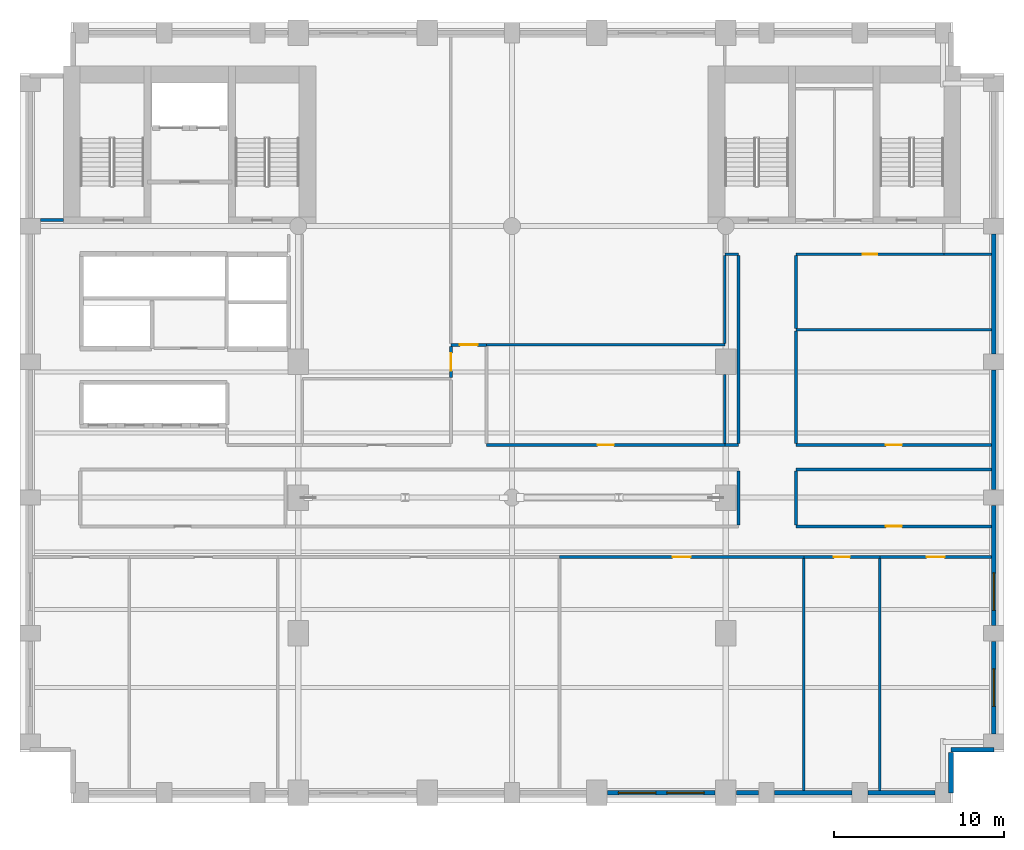
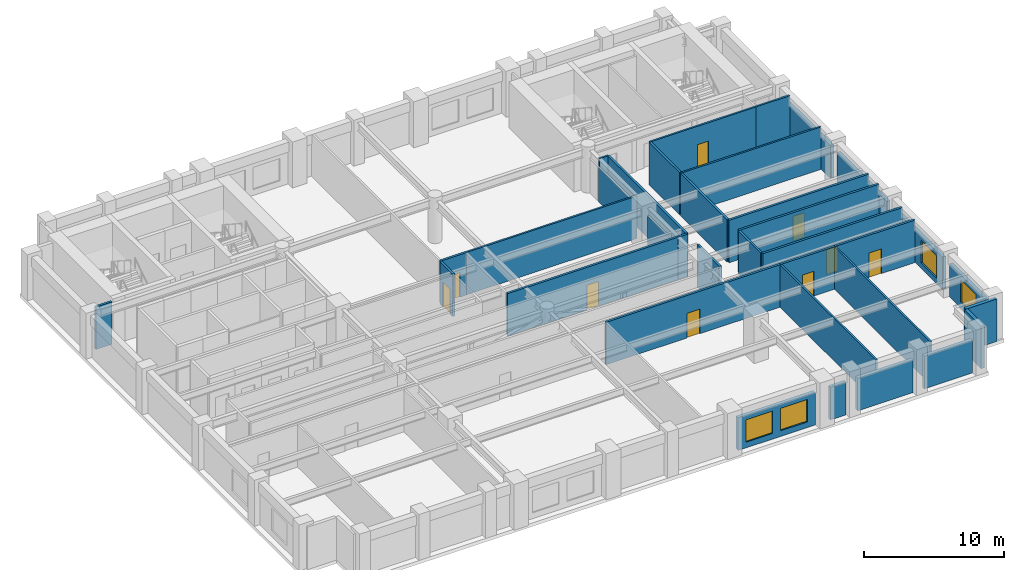
# One storey, part 6 of 10: 35 walls, 9 doors, 4 windows, 13 openings.
"""IFC4 building model written with IfcOpenShell, lengths in metres."""

from ifc_helpers import new_model, si_unit, direction, frame, frame_2d, origin, place, context, subcontext, project, spatial, rectangle, extrude, material, layer, layer_set, type_object, element, fill, save


model = new_model("IFC4")

# Units and contexts
model_context = context("Model", 3, precision=1e-05, world=origin(), true_north=direction((0.0, 1.0)))
body_context = subcontext(model_context, "Body", "Model", "MODEL_VIEW")
ifc_project = project(units=[si_unit("LENGTHUNIT", "METRE"), si_unit("AREAUNIT", "SQUARE_METRE"), si_unit("VOLUMEUNIT", "CUBIC_METRE"), si_unit("PLANEANGLEUNIT", "RADIAN"), si_unit("MASSUNIT", "GRAM", prefix="KILO")], contexts=[model_context])

# Site, building, storey
site_placement = place(None, origin())
site = spatial("IfcSite", under=ifc_project, at=site_placement, CompositionType="ELEMENT")
building_placement = place(site_placement, origin())
building = spatial("IfcBuilding", under=site, at=building_placement, Name="Sulina Concourse Tower", CompositionType="ELEMENT")
storey_placement = place(building_placement, frame((0.0, 0.0, 58.60009765625)))
storey = spatial("IfcBuildingStorey", under=building, at=storey_placement, Name="L14", CompositionType="ELEMENT", Elevation=58.60009765625)

# Walls
ifc_material_1 = material(Name="Gypsum board on steel stud", Category="steel")
ifc_layer_1 = layer(ifc_material_1, 0.14990234375)
ifc_layer_set_1 = layer_set([ifc_layer_1], Name="Gypsum board on steel stud")
wall_type_1 = type_object("IfcWallType", Name="Inter-Tenancy Acoustic Partition 150mm", PredefinedType="PARTITIONING", material=ifc_layer_set_1)
wall_1_placement = place(storey_placement, frame((27.5, 27.0, 0.0), z_axis=(0.0, 0.0, 1.0), x_axis=(1.0, 0.0, 0.0)))
element("IfcWall", 1, at=wall_1_placement, inside=storey, type_object=wall_type_1, Name="L14 interior partition 021", PredefinedType="PARTITIONING", context=body_context, shape_type="SweptSolid", body=[
    extrude(rectangle(XDim=14.050048828125, YDim=0.14990234375, at=frame_2d((7.02490234375, 0.0))), origin(), (0.0, 0.0, 1.0), 3.699951171875),
])
wall_2_placement = place(storey_placement, frame((45.75, 27.8798828125, 0.0), z_axis=(0.0, 0.0, 1.0), x_axis=(1.0, 0.0, 0.0)))
element("IfcWall", 2, at=wall_2_placement, inside=storey, type_object=wall_type_1, Name="L14 interior partition 022", PredefinedType="PARTITIONING", context=body_context, shape_type="SweptSolid", body=[
    extrude(rectangle(XDim=11.510009765625, YDim=0.14990234375, at=frame_2d((5.7548828125, 0.0))), origin(), (0.0, 0.0, 1.0), 3.699951171875),
])
wall_3_placement = place(storey_placement, frame((41.550048828125, 32.35009765625, 0.0), z_axis=(0.0, 0.0, 1.0), x_axis=(1.0, 0.0, 0.0)))
element("IfcWall", 3, at=wall_3_placement, inside=storey, type_object=wall_type_1, Name="L14 interior partition 023", PredefinedType="PARTITIONING", context=body_context, shape_type="SweptSolid", body=[
    extrude(rectangle(XDim=0.800048828125, YDim=0.14990234375, at=frame_2d((0.39990234375, 0.0))), origin(), (0.0, 0.0, 1.0), 3.699951171875),
])

# Wall, opening, door
wall_4_placement = place(storey_placement, frame((45.75, 32.35009765625, 0.0), z_axis=(0.0, 0.0, 1.0), x_axis=(1.0, 0.0, 0.0)))
wall_4 = element("IfcWall", 4, at=wall_4_placement, inside=storey, type_object=wall_type_1, Name="L14 interior partition 024", PredefinedType="PARTITIONING", context=body_context, shape_type="SweptSolid", body=[
    extrude(rectangle(XDim=8.699951171875, YDim=0.14990234375, at=frame_2d((4.35009765625, 0.0))), origin(), (0.0, 0.0, 1.0), 3.699951171875),
])
opening_1_placement = place(wall_4_placement, frame((3.909912109375, 0.0, 0.0)))
opening_1 = element("IfcOpeningElement", 5, at=opening_1_placement, cuts=wall_4, Name="Opening DR-38", PredefinedType="OPENING", context=body_context, shape_type="SweptSolid", body=[
    extrude(rectangle(XDim=0.8798828125, YDim=2.10009765625, at=frame_2d((0.43994140625, 1.050048828125))), frame((0.0, 0.0849609375, 0.0), z_axis=(0.0, -1.0, 0.0), x_axis=(1.0, 0.0, 0.0)), (0.0, 0.0, 1.0), 0.169921875),
])
ifc_material_2 = material(Name="Galvanised steel acoustic fire leaf", Category="steel")
ifc_layer_2 = layer(ifc_material_2, 0.050048828125)
ifc_layer_set_2 = layer_set([ifc_layer_2], Name="Galvanised steel acoustic fire leaf")
door_type_1 = type_object("IfcDoorType", Name="Service Riser Fire Door 880x2100", OperationType="NOTDEFINED", PredefinedType="DOOR", material=ifc_layer_set_2)
door_1_placement = place(opening_1_placement, origin())
door_1 = element("IfcDoor", 6, at=door_1_placement, inside=storey, type_object=door_type_1, Name="L14 interior door L14-NE2", OperationType="SINGLE_SWING_LEFT", OverallHeight=2.10009765625, OverallWidth=0.8798828125, PredefinedType="DOOR", context=body_context, shape_type="SweptSolid", body=[
    extrude(rectangle(XDim=0.8798828125, YDim=2.10009765625, at=frame_2d((0.43994140625, 1.050048828125))), frame((0.0, 0.02490234375, 0.0), z_axis=(0.0, -1.0, 0.0), x_axis=(1.0, 0.0, 0.0)), (0.0, 0.0, 1.0), 0.050048828125),
])
fill(opening_1, door_1)

# Walls
wall_5_placement = place(storey_placement, frame((54.449951171875, 32.35009765625, 0.0), z_axis=(0.0, 0.0, 1.0), x_axis=(1.0, 0.0, 0.0)))
element("IfcWall", 7, at=wall_5_placement, inside=storey, type_object=wall_type_1, Name="L14 interior partition 025", PredefinedType="PARTITIONING", context=body_context, shape_type="SweptSolid", body=[
    extrude(rectangle(XDim=2.81005859375, YDim=0.14990234375, at=frame_2d((1.405029296875, 0.0))), origin(), (0.0, 0.0, 1.0), 3.699951171875),
])
wall_6_placement = place(storey_placement, frame((41.550048828125, 21.18994140625, 0.0), z_axis=(0.0, 0.0, 1.0), x_axis=(0.0, 1.0, 0.0)))
element("IfcWall", 8, at=wall_6_placement, inside=storey, type_object=wall_type_1, Name="L14 interior partition 042", PredefinedType="PARTITIONING", context=body_context, shape_type="SweptSolid", body=[
    extrude(rectangle(XDim=4.06005859375, YDim=0.14990234375, at=frame_2d((2.030029296875, 0.0))), origin(), (0.0, 0.0, 1.0), 2.994873046875),
])
wall_7_placement = place(storey_placement, frame((41.550048828125, 27.074951171875, 0.0), z_axis=(0.0, 0.0, 1.0), x_axis=(0.0, 1.0, 0.0)))
element("IfcWall", 9, at=wall_7_placement, inside=storey, type_object=wall_type_1, Name="L14 interior partition 043", PredefinedType="PARTITIONING", context=body_context, shape_type="SweptSolid", body=[
    extrude(rectangle(XDim=5.199951171875, YDim=0.14990234375, at=frame_2d((2.60009765625, 0.0))), origin(), (0.0, 0.0, 1.0), 2.994873046875),
])
for number, where, z_axis, x_axis, name in (
    (10, (46.199951171875, 0.739990234375, 0.0), (0.0, 0.0, 1.0), (0.0, 1.0, 0.0), "L14 interior partition 051"),
    (11, (50.679931640625, 0.739990234375, 0.0), (0.0, 0.0, 1.0), (0.0, 1.0, 0.0), "L14 interior partition 053"),
):
    element("IfcWall", number, at=place(storey_placement, frame(where, z_axis=z_axis, x_axis=x_axis)), inside=storey, type_object=wall_type_1, Name=name, PredefinedType="PARTITIONING", context=body_context, shape_type="SweptSolid", body=[
        extrude(rectangle(XDim=13.669921875, YDim=0.14990234375, at=frame_2d((6.8349609375, 0.0))), origin(), (0.0, 0.0, 1.0), 3.699951171875),
    ])

# Wall, opening, door
ifc_material_3 = material(Name="Gypsum board on steel stud", Category="steel")
ifc_layer_3 = layer(ifc_material_3, 0.179931640625)
ifc_layer_set_3 = layer_set([ifc_layer_3], Name="Gypsum board on steel stud")
wall_type_2 = type_object("IfcWallType", Name="Protected Corridor & Riser Partition 180mm", PredefinedType="PARTITIONING", material=ifc_layer_set_3)
wall_8_placement = place(storey_placement, frame((31.800048828125, 14.5, 0.0), z_axis=(0.0, 0.0, 1.0), x_axis=(1.0, 0.0, 0.0)))
wall_8 = element("IfcWall", 12, at=wall_8_placement, inside=storey, type_object=wall_type_2, Name="L14 interior partition 004", PredefinedType="PARTITIONING", context=body_context, shape_type="SweptSolid", body=[
    extrude(rectangle(XDim=14.39990234375, YDim=0.179931640625, at=frame_2d((7.199951171875, 0.0))), origin(), (0.0, 0.0, 1.0), 3.699951171875),
])
opening_2_placement = place(wall_8_placement, frame((6.675048828125, 0.0, 0.0)))
opening_2 = element("IfcOpeningElement", 13, at=opening_2_placement, cuts=wall_8, Name="Opening DR-37", PredefinedType="OPENING", context=body_context, shape_type="SweptSolid", body=[
    extrude(rectangle(XDim=1.050048828125, YDim=2.14990234375, at=frame_2d((0.52490234375, 1.074951171875))), frame((0.0, 0.099853515625, 0.0), z_axis=(0.0, -1.0, 0.0), x_axis=(1.0, 0.0, 0.0)), (0.0, 0.0, 1.0), 0.199951171875),
])
ifc_material_4 = material(Name="Oak-veneered fire door leaf")
ifc_layer_4 = layer(ifc_material_4, 0.050048828125)
ifc_layer_set_4 = layer_set([ifc_layer_4], Name="Oak-veneered fire door leaf")
door_type_2 = type_object("IfcDoorType", Name="Tenant Suite Entrance Fire Door 1050x2150", OperationType="NOTDEFINED", PredefinedType="DOOR", material=ifc_layer_set_4)
door_2_placement = place(opening_2_placement, origin())
door_2 = element("IfcDoor", 14, at=door_2_placement, inside=storey, type_object=door_type_2, Name="L14 interior door L14-S03", OperationType="SINGLE_SWING_LEFT", OverallHeight=2.14990234375, OverallWidth=1.050048828125, PredefinedType="DOOR", context=body_context, shape_type="SweptSolid", body=[
    extrude(rectangle(XDim=1.050048828125, YDim=2.14990234375, at=frame_2d((0.52490234375, 1.074951171875))), frame((0.0, 0.02490234375, 0.0), z_axis=(0.0, -1.0, 0.0), x_axis=(1.0, 0.0, 0.0)), (0.0, 0.0, 1.0), 0.050048828125),
])
fill(opening_2, door_2)

wall_9_placement = place(storey_placement, frame((46.199951171875, 14.5, 0.0), z_axis=(0.0, 0.0, 1.0), x_axis=(1.0, 0.0, 0.0)))
wall_9 = element("IfcWall", 15, at=wall_9_placement, inside=storey, type_object=wall_type_2, Name="L14 interior partition 005", PredefinedType="PARTITIONING", context=body_context, shape_type="SweptSolid", body=[
    extrude(rectangle(XDim=4.47998046875, YDim=0.179931640625, at=frame_2d((2.239990234375, 0.0))), origin(), (0.0, 0.0, 1.0), 3.699951171875),
])
opening_3_placement = place(wall_9_placement, frame((1.764892578125, 0.0, 0.0)))
opening_3 = element("IfcOpeningElement", 16, at=opening_3_placement, cuts=wall_9, Name="Opening DR-19", PredefinedType="OPENING", context=body_context, shape_type="SweptSolid", body=[
    extrude(rectangle(XDim=0.949951171875, YDim=2.14990234375, at=frame_2d((0.47509765625, 1.074951171875))), frame((0.0, 0.099853515625, 0.0), z_axis=(0.0, -1.0, 0.0), x_axis=(1.0, 0.0, 0.0)), (0.0, 0.0, 1.0), 0.199951171875),
])
ifc_material_5 = material(Name="Oak-veneered acoustic timber leaf", Category="wood")
ifc_layer_5 = layer(ifc_material_5, 0.050048828125)
ifc_layer_set_5 = layer_set([ifc_layer_5], Name="Oak-veneered acoustic timber leaf")
door_type_3 = type_object("IfcDoorType", Name="Cellular Office & Meeting Door 950x2150", OperationType="NOTDEFINED", PredefinedType="DOOR", material=ifc_layer_set_5)
door_3_placement = place(opening_3_placement, origin())
door_3 = element("IfcDoor", 17, at=door_3_placement, inside=storey, type_object=door_type_3, Name="L14 interior door L14-S04A", OperationType="SINGLE_SWING_RIGHT", OverallHeight=2.14990234375, OverallWidth=0.949951171875, PredefinedType="DOOR", context=body_context, shape_type="SweptSolid", body=[
    extrude(rectangle(XDim=0.949951171875, YDim=2.14990234375, at=frame_2d((0.47509765625, 1.074951171875))), frame((0.0, 0.02490234375, 0.0), z_axis=(0.0, -1.0, 0.0), x_axis=(1.0, 0.0, 0.0)), (0.0, 0.0, 1.0), 0.050048828125),
])
fill(opening_3, door_3)

wall_10_placement = place(storey_placement, frame((50.679931640625, 14.5, 0.0), z_axis=(0.0, 0.0, 1.0), x_axis=(1.0, 0.0, 0.0)))
wall_10 = element("IfcWall", 18, at=wall_10_placement, inside=storey, type_object=wall_type_2, Name="L14 interior partition 006", PredefinedType="PARTITIONING", context=body_context, shape_type="SweptSolid", body=[
    extrude(rectangle(XDim=6.580078125, YDim=0.179931640625, at=frame_2d((3.2900390625, 0.0))), origin(), (0.0, 0.0, 1.0), 3.699951171875),
])
opening_4_placement = place(wall_10_placement, frame((2.764892578125, 0.0, 0.0)))
opening_4 = element("IfcOpeningElement", 19, at=opening_4_placement, cuts=wall_10, Name="Opening DR-37", PredefinedType="OPENING", context=body_context, shape_type="SweptSolid", body=[
    extrude(rectangle(XDim=1.050048828125, YDim=2.14990234375, at=frame_2d((0.52490234375, 1.074951171875))), frame((0.0, 0.099853515625, 0.0), z_axis=(0.0, -1.0, 0.0), x_axis=(1.0, 0.0, 0.0)), (0.0, 0.0, 1.0), 0.199951171875),
])
door_4_placement = place(opening_4_placement, origin())
door_4 = element("IfcDoor", 20, at=door_4_placement, inside=storey, type_object=door_type_2, Name="L14 interior door L14-S04B", OperationType="SINGLE_SWING_LEFT", OverallHeight=2.14990234375, OverallWidth=1.050048828125, PredefinedType="DOOR", context=body_context, shape_type="SweptSolid", body=[
    extrude(rectangle(XDim=1.050048828125, YDim=2.14990234375, at=frame_2d((0.52490234375, 1.074951171875))), frame((0.0, 0.02490234375, 0.0), z_axis=(0.0, -1.0, 0.0), x_axis=(1.0, 0.0, 0.0)), (0.0, 0.0, 1.0), 0.050048828125),
])
fill(opening_4, door_4)

wall_11_placement = place(storey_placement, frame((45.75, 16.300048828125, 0.0), z_axis=(0.0, 0.0, 1.0), x_axis=(1.0, 0.0, 0.0)))
wall_11 = element("IfcWall", 21, at=wall_11_placement, inside=storey, type_object=wall_type_2, Name="L14 interior partition 009", PredefinedType="PARTITIONING", context=body_context, shape_type="SweptSolid", body=[
    extrude(rectangle(XDim=11.510009765625, YDim=0.179931640625, at=frame_2d((5.7548828125, 0.0))), origin(), (0.0, 0.0, 1.0), 3.699951171875),
])
opening_5_placement = place(wall_11_placement, frame((5.280029296875, 0.0, 0.0)))
opening_5 = element("IfcOpeningElement", 22, at=opening_5_placement, cuts=wall_11, Name="Opening DR-19", PredefinedType="OPENING", context=body_context, shape_type="SweptSolid", body=[
    extrude(rectangle(XDim=0.949951171875, YDim=2.14990234375, at=frame_2d((0.47509765625, 1.074951171875))), frame((0.0, 0.099853515625, 0.0), z_axis=(0.0, -1.0, 0.0), x_axis=(1.0, 0.0, 0.0)), (0.0, 0.0, 1.0), 0.199951171875),
])
door_5_placement = place(opening_5_placement, origin())
door_5 = element("IfcDoor", 23, at=door_5_placement, inside=storey, type_object=door_type_3, Name="L14 interior door L14-OFF-LBTE", OperationType="SINGLE_SWING_LEFT", OverallHeight=2.14990234375, OverallWidth=0.949951171875, PredefinedType="DOOR", context=body_context, shape_type="SweptSolid", body=[
    extrude(rectangle(XDim=0.949951171875, YDim=2.14990234375, at=frame_2d((0.47509765625, 1.074951171875))), frame((0.0, 0.02490234375, 0.0), z_axis=(0.0, -1.0, 0.0), x_axis=(1.0, 0.0, 0.0)), (0.0, 0.0, 1.0), 0.050048828125),
])
fill(opening_5, door_5)

# Wall
wall_12_placement = place(storey_placement, frame((45.75, 19.64990234375, 0.0), z_axis=(0.0, 0.0, 1.0), x_axis=(1.0, 0.0, 0.0)))
element("IfcWall", 24, at=wall_12_placement, inside=storey, type_object=wall_type_2, Name="L14 interior partition 012", PredefinedType="PARTITIONING", context=body_context, shape_type="SweptSolid", body=[
    extrude(rectangle(XDim=11.510009765625, YDim=0.179931640625, at=frame_2d((5.7548828125, 0.0))), origin(), (0.0, 0.0, 1.0), 3.699951171875),
])

# Wall, opening, door
wall_13_placement = place(storey_placement, frame((27.5, 21.10009765625, 0.0), z_axis=(0.0, 0.0, 1.0), x_axis=(1.0, 0.0, 0.0)))
wall_13 = element("IfcWall", 25, at=wall_13_placement, inside=storey, type_object=wall_type_2, Name="L14 interior partition 015", PredefinedType="PARTITIONING", context=body_context, shape_type="SweptSolid", body=[
    extrude(rectangle(XDim=14.050048828125, YDim=0.179931640625, at=frame_2d((7.02490234375, 0.0))), origin(), (0.0, 0.0, 1.0), 3.699951171875),
])
opening_6_placement = place(wall_13_placement, frame((6.550048828125, 0.0, 0.0)))
opening_6 = element("IfcOpeningElement", 26, at=opening_6_placement, cuts=wall_13, Name="Opening DR-19", PredefinedType="OPENING", context=body_context, shape_type="SweptSolid", body=[
    extrude(rectangle(XDim=0.949951171875, YDim=2.14990234375, at=frame_2d((0.47509765625, 1.074951171875))), frame((0.0, 0.099853515625, 0.0), z_axis=(0.0, -1.0, 0.0), x_axis=(1.0, 0.0, 0.0)), (0.0, 0.0, 1.0), 0.199951171875),
])
door_6_placement = place(opening_6_placement, origin())
door_6 = element("IfcDoor", 27, at=door_6_placement, inside=storey, type_object=door_type_3, Name="L14 interior door L14-NC3", OperationType="SINGLE_SWING_LEFT", OverallHeight=2.14990234375, OverallWidth=0.949951171875, PredefinedType="DOOR", context=body_context, shape_type="SweptSolid", body=[
    extrude(rectangle(XDim=0.949951171875, YDim=2.14990234375, at=frame_2d((0.47509765625, 1.074951171875))), frame((0.0, 0.02490234375, 0.0), z_axis=(0.0, -1.0, 0.0), x_axis=(1.0, 0.0, 0.0)), (0.0, 0.0, 1.0), 0.050048828125),
])
fill(opening_6, door_6)

# Wall
wall_14_placement = place(storey_placement, frame((41.550048828125, 21.10009765625, 0.0), z_axis=(0.0, 0.0, 1.0), x_axis=(1.0, 0.0, 0.0)))
element("IfcWall", 28, at=wall_14_placement, inside=storey, type_object=wall_type_2, Name="L14 interior partition 016", PredefinedType="PARTITIONING", context=body_context, shape_type="SweptSolid", body=[
    extrude(rectangle(XDim=0.800048828125, YDim=0.179931640625, at=frame_2d((0.39990234375, 0.0))), origin(), (0.0, 0.0, 1.0), 3.699951171875),
])

# Wall, opening, door
wall_15_placement = place(storey_placement, frame((45.75, 21.10009765625, 0.0), z_axis=(0.0, 0.0, 1.0), x_axis=(1.0, 0.0, 0.0)))
wall_15 = element("IfcWall", 29, at=wall_15_placement, inside=storey, type_object=wall_type_2, Name="L14 interior partition 017", PredefinedType="PARTITIONING", context=body_context, shape_type="SweptSolid", body=[
    extrude(rectangle(XDim=11.510009765625, YDim=0.179931640625, at=frame_2d((5.7548828125, 0.0))), origin(), (0.0, 0.0, 1.0), 3.699951171875),
])
opening_7_placement = place(wall_15_placement, frame((5.280029296875, 0.0, 0.0)))
opening_7 = element("IfcOpeningElement", 30, at=opening_7_placement, cuts=wall_15, Name="Opening DR-19", PredefinedType="OPENING", context=body_context, shape_type="SweptSolid", body=[
    extrude(rectangle(XDim=0.949951171875, YDim=2.14990234375, at=frame_2d((0.47509765625, 1.074951171875))), frame((0.0, 0.099853515625, 0.0), z_axis=(0.0, -1.0, 0.0), x_axis=(1.0, 0.0, 0.0)), (0.0, 0.0, 1.0), 0.199951171875),
])
door_7_placement = place(opening_7_placement, origin())
door_7 = element("IfcDoor", 31, at=door_7_placement, inside=storey, type_object=door_type_3, Name="L14 interior door L14-NE1", OperationType="SINGLE_SWING_RIGHT", OverallHeight=2.14990234375, OverallWidth=0.949951171875, PredefinedType="DOOR", context=body_context, shape_type="SweptSolid", body=[
    extrude(rectangle(XDim=0.949951171875, YDim=2.14990234375, at=frame_2d((0.47509765625, 1.074951171875))), frame((0.0, 0.02490234375, 0.0), z_axis=(0.0, -1.0, 0.0), x_axis=(1.0, 0.0, 0.0)), (0.0, 0.0, 1.0), 0.050048828125),
])
fill(opening_7, door_7)

wall_16_placement = place(storey_placement, frame((25.39990234375, 27.0, 0.0), z_axis=(0.0, 0.0, 1.0), x_axis=(1.0, 0.0, 0.0)))
wall_16 = element("IfcWall", 32, at=wall_16_placement, inside=storey, type_object=wall_type_2, Name="L14 interior partition 020", PredefinedType="PARTITIONING", context=body_context, shape_type="SweptSolid", body=[
    extrude(rectangle(XDim=2.10009765625, YDim=0.179931640625, at=frame_2d((1.050048828125, 0.0))), origin(), (0.0, 0.0, 1.0), 3.699951171875),
])
opening_8_placement = place(wall_16_placement, frame((0.52490234375, 0.0, 0.0)))
opening_8 = element("IfcOpeningElement", 33, at=opening_8_placement, cuts=wall_16, Name="Opening DR-37", PredefinedType="OPENING", context=body_context, shape_type="SweptSolid", body=[
    extrude(rectangle(XDim=1.050048828125, YDim=2.14990234375, at=frame_2d((0.52490234375, 1.074951171875))), frame((0.0, 0.099853515625, 0.0), z_axis=(0.0, -1.0, 0.0), x_axis=(1.0, 0.0, 0.0)), (0.0, 0.0, 1.0), 0.199951171875),
])
door_8_placement = place(opening_8_placement, origin())
door_8 = element("IfcDoor", 34, at=door_8_placement, inside=storey, type_object=door_type_2, Name="L14 interior door L14-NC4", OperationType="SINGLE_SWING_RIGHT", OverallHeight=2.14990234375, OverallWidth=1.050048828125, PredefinedType="DOOR", context=body_context, shape_type="SweptSolid", body=[
    extrude(rectangle(XDim=1.050048828125, YDim=2.14990234375, at=frame_2d((0.52490234375, 1.074951171875))), frame((0.0, 0.02490234375, 0.0), z_axis=(0.0, -1.0, 0.0), x_axis=(1.0, 0.0, 0.0)), (0.0, 0.0, 1.0), 0.050048828125),
])
fill(opening_8, door_8)

# Wall
wall_17_placement = place(storey_placement, frame((1.199951171875, 34.35009765625, 0.0), z_axis=(0.0, 0.0, 1.0), x_axis=(1.0, 0.0, 0.0)))
element("IfcWall", 35, at=wall_17_placement, inside=storey, type_object=wall_type_2, Name="L14 interior partition 026", PredefinedType="PARTITIONING", context=body_context, shape_type="SweptSolid", body=[
    extrude(rectangle(XDim=1.35009765625, YDim=0.179931640625, at=frame_2d((0.675048828125, 0.0))), origin(), (0.0, 0.0, 1.0), 3.699951171875),
])

# Wall, opening, door
wall_18_placement = place(storey_placement, frame((25.39990234375, 25.074951171875, 0.0), z_axis=(0.0, 0.0, 1.0), x_axis=(0.0, 1.0, 0.0)))
wall_18 = element("IfcWall", 36, at=wall_18_placement, inside=storey, type_object=wall_type_2, Name="L14 interior partition 038", PredefinedType="PARTITIONING", context=body_context, shape_type="SweptSolid", body=[
    extrude(rectangle(XDim=1.8349609375, YDim=0.179931640625, at=frame_2d((0.91748046875, 0.0))), origin(), (0.0, 0.0, 1.0), 3.699951171875),
])
opening_9_placement = place(wall_18_placement, frame((0.392578125, 0.0, 0.0)))
opening_9 = element("IfcOpeningElement", 37, at=opening_9_placement, cuts=wall_18, Name="Opening DR-37", PredefinedType="OPENING", context=body_context, shape_type="SweptSolid", body=[
    extrude(rectangle(XDim=1.050048828125, YDim=2.14990234375, at=frame_2d((0.52490234375, 1.074951171875))), frame((0.0, 0.099853515625, 0.0), z_axis=(0.0, -1.0, 0.0), x_axis=(1.0, 0.0, 0.0)), (0.0, 0.0, 1.0), 0.199951171875),
])
door_9_placement = place(opening_9_placement, origin())
door_9 = element("IfcDoor", 38, at=door_9_placement, inside=storey, type_object=door_type_2, Name="L14 interior door L14-NC2", OperationType="SINGLE_SWING_RIGHT", OverallHeight=2.14990234375, OverallWidth=1.050048828125, PredefinedType="DOOR", context=body_context, shape_type="SweptSolid", body=[
    extrude(rectangle(XDim=1.050048828125, YDim=2.14990234375, at=frame_2d((0.52490234375, 1.074951171875))), frame((0.0, 0.02490234375, 0.0), z_axis=(0.0, -1.0, 0.0), x_axis=(1.0, 0.0, 0.0)), (0.0, 0.0, 1.0), 0.050048828125),
])
fill(opening_9, door_9)

# Walls
wall_19_placement = place(storey_placement, frame((42.35009765625, 16.389892578125, 0.0), z_axis=(0.0, 0.0, 1.0), x_axis=(0.0, 1.0, 0.0)))
element("IfcWall", 39, at=wall_19_placement, inside=storey, type_object=wall_type_2, Name="L14 interior partition 046", PredefinedType="PARTITIONING", context=body_context, shape_type="SweptSolid", body=[
    extrude(rectangle(XDim=3.170166015625, YDim=0.179931640625, at=frame_2d((1.5849609375, 0.0))), origin(), (0.0, 0.0, 1.0), 3.699951171875),
])
wall_20_placement = place(storey_placement, frame((42.35009765625, 21.18994140625, 0.0), z_axis=(0.0, 0.0, 1.0), x_axis=(0.0, 1.0, 0.0)))
element("IfcWall", 40, at=wall_20_placement, inside=storey, type_object=wall_type_2, Name="L14 interior partition 047", PredefinedType="PARTITIONING", context=body_context, shape_type="SweptSolid", body=[
    extrude(rectangle(XDim=11.0849609375, YDim=0.179931640625, at=frame_2d((5.54248046875, 0.0))), origin(), (0.0, 0.0, 1.0), 3.699951171875),
])
wall_21_placement = place(storey_placement, frame((45.75, 16.389892578125, 0.0), z_axis=(0.0, 0.0, 1.0), x_axis=(0.0, 1.0, 0.0)))
element("IfcWall", 41, at=wall_21_placement, inside=storey, type_object=wall_type_2, Name="L14 interior partition 048", PredefinedType="PARTITIONING", context=body_context, shape_type="SweptSolid", body=[
    extrude(rectangle(XDim=3.170166015625, YDim=0.179931640625, at=frame_2d((1.5849609375, 0.0))), origin(), (0.0, 0.0, 1.0), 3.699951171875),
])
wall_22_placement = place(storey_placement, frame((45.75, 21.18994140625, 0.0), z_axis=(0.0, 0.0, 1.0), x_axis=(0.0, 1.0, 0.0)))
element("IfcWall", 42, at=wall_22_placement, inside=storey, type_object=wall_type_2, Name="L14 interior partition 049", PredefinedType="PARTITIONING", context=body_context, shape_type="SweptSolid", body=[
    extrude(rectangle(XDim=6.614990234375, YDim=0.179931640625, at=frame_2d((3.3076171875, 0.0))), origin(), (0.0, 0.0, 1.0), 3.699951171875),
])
wall_23_placement = place(storey_placement, frame((45.75, 27.955078125, 0.0), z_axis=(0.0, 0.0, 1.0), x_axis=(0.0, 1.0, 0.0)))
element("IfcWall", 43, at=wall_23_placement, inside=storey, type_object=wall_type_2, Name="L14 interior partition 050", PredefinedType="PARTITIONING", context=body_context, shape_type="SweptSolid", body=[
    extrude(rectangle(XDim=4.31982421875, YDim=0.179931640625, at=frame_2d((2.159912109375, 0.0))), origin(), (0.0, 0.0, 1.0), 3.699951171875),
])

# Wall, openings, windows
ifc_material_6 = material(Name="Precast concrete C50/60", Category="concrete")
ifc_layer_6 = layer(ifc_material_6, 0.280029296875)
ifc_layer_set_6 = layer_set([ifc_layer_6], Name="Precast concrete C50/60")
wall_type_3 = type_object("IfcWallType", Name="Typical Precast Masonry-Frame Facade Wall 280mm", PredefinedType="SOLIDWALL", material=ifc_layer_set_6)
wall_24_placement = place(storey_placement, frame((40.97998046875, 0.60009765625, 0.0), z_axis=(0.0, 0.0, 1.0), x_axis=(-1.0, 0.0, 0.0)))
wall_24 = element("IfcWall", 44, at=wall_24_placement, inside=storey, type_object=wall_type_3, Name="L14 exterior precast wall S7", PredefinedType="SOLIDWALL", context=body_context, shape_type="SweptSolid", body=[
    extrude(rectangle(XDim=6.35986328125, YDim=0.280029296875, at=frame_2d((3.179931640625, 0.0))), origin(), (0.0, 0.0, 1.0), 2.849853515625),
])
opening_10_placement = place(wall_24_placement, frame((0.6533203125, 0.0, 0.5)))
opening_10 = element("IfcOpeningElement", 45, at=opening_10_placement, cuts=wall_24, Name="Opening WN-76", PredefinedType="OPENING", context=body_context, shape_type="SweptSolid", body=[
    extrude(rectangle(XDim=2.199951171875, YDim=1.949951171875, at=frame_2d((1.10009765625, 0.97509765625))), frame((0.0, 0.14990234375, 0.0), z_axis=(0.0, -1.0, 0.0), x_axis=(1.0, 0.0, 0.0)), (0.0, 0.0, 1.0), 0.300048828125),
])
opening_11_placement = place(wall_24_placement, frame((3.506591796875, 0.0, 0.5)))
opening_11 = element("IfcOpeningElement", 46, at=opening_11_placement, cuts=wall_24, Name="Opening WN-76", PredefinedType="OPENING", context=body_context, shape_type="SweptSolid", body=[
    extrude(rectangle(XDim=2.199951171875, YDim=1.949951171875, at=frame_2d((1.10009765625, 0.97509765625))), frame((0.0, 0.14990234375, 0.0), z_axis=(0.0, -1.0, 0.0), x_axis=(1.0, 0.0, 0.0)), (0.0, 0.0, 1.0), 0.300048828125),
])
ifc_material_7 = material(Name="Low-E solar double glazing in bronze aluminium", Category="aluminium")
window_type = type_object("IfcWindowType", Name="Recessed Spandrel Window 2200x1950", PartitioningType="DOUBLE_PANEL_VERTICAL", PredefinedType="WINDOW", material=ifc_material_7)
window_1_placement = place(opening_10_placement, origin())
window_1 = element("IfcWindow", 47, at=window_1_placement, inside=storey, type_object=window_type, Name="L14 punched window S7-1", OverallHeight=1.949951171875, OverallWidth=2.199951171875, PartitioningType="SINGLE_PANEL", PredefinedType="WINDOW", context=body_context, shape_type="SweptSolid", body=[
    extrude(rectangle(XDim=2.199951171875, YDim=1.949951171875, at=frame_2d((1.10009765625, 0.97509765625))), frame((0.0, 0.030029296875, 0.0), z_axis=(0.0, -1.0, 0.0), x_axis=(1.0, 0.0, 0.0)), (0.0, 0.0, 1.0), 0.06005859375),
])
fill(opening_10, window_1)
window_2_placement = place(opening_11_placement, origin())
window_2 = element("IfcWindow", 48, at=window_2_placement, inside=storey, type_object=window_type, Name="L14 punched window S7-2", OverallHeight=1.949951171875, OverallWidth=2.199951171875, PartitioningType="SINGLE_PANEL", PredefinedType="WINDOW", context=body_context, shape_type="SweptSolid", body=[
    extrude(rectangle(XDim=2.199951171875, YDim=1.949951171875, at=frame_2d((1.10009765625, 0.97509765625))), frame((0.0, 0.030029296875, 0.0), z_axis=(0.0, -1.0, 0.0), x_axis=(1.0, 0.0, 0.0)), (0.0, 0.0, 1.0), 0.06005859375),
])
fill(opening_11, window_2)

# Walls
wall_25_placement = place(storey_placement, frame((43.530029296875, 0.60009765625, 0.0), z_axis=(0.0, 0.0, 1.0), x_axis=(-1.0, 0.0, 0.0)))
element("IfcWall", 49, at=wall_25_placement, inside=storey, type_object=wall_type_3, Name="L14 exterior precast wall S8", PredefinedType="SOLIDWALL", context=body_context, shape_type="SweptSolid", body=[
    extrude(rectangle(XDim=1.31005859375, YDim=0.280029296875, at=frame_2d((0.655029296875, 0.0))), origin(), (0.0, 0.0, 1.0), 2.849853515625),
])
wall_26_placement = place(storey_placement, frame((49.030029296875, 0.60009765625, 0.0), z_axis=(0.0, 0.0, 1.0), x_axis=(-1.0, 0.0, 0.0)))
element("IfcWall", 50, at=wall_26_placement, inside=storey, type_object=wall_type_3, Name="L14 exterior precast wall S9", PredefinedType="SOLIDWALL", context=body_context, shape_type="SweptSolid", body=[
    extrude(rectangle(XDim=4.56005859375, YDim=0.280029296875, at=frame_2d((2.280029296875, 0.0))), origin(), (0.0, 0.0, 1.0), 2.849853515625),
])
wall_27_placement = place(storey_placement, frame((53.929931640625, 0.60009765625, 0.0), z_axis=(0.0, 0.0, 1.0), x_axis=(-1.0, 0.0, 0.0)))
element("IfcWall", 51, at=wall_27_placement, inside=storey, type_object=wall_type_3, Name="L14 exterior precast wall S10", PredefinedType="SOLIDWALL", context=body_context, shape_type="SweptSolid", body=[
    extrude(rectangle(XDim=3.9599609375, YDim=0.280029296875, at=frame_2d((1.97998046875, 0.0))), origin(), (0.0, 0.0, 1.0), 2.849853515625),
])

# Wall, opening, window
wall_28_placement = place(storey_placement, frame((57.39990234375, 9.530029296875, 0.0), z_axis=(0.0, 0.0, 1.0), x_axis=(0.0, -1.0, 0.0)))
wall_28 = element("IfcWall", 52, at=wall_28_placement, inside=storey, type_object=wall_type_3, Name="L14 exterior precast wall E1", PredefinedType="SOLIDWALL", context=body_context, shape_type="SweptSolid", body=[
    extrude(rectangle(XDim=5.4599609375, YDim=0.280029296875, at=frame_2d((2.72998046875, 0.0))), origin(), (0.0, 0.0, 1.0), 2.849853515625),
])
opening_12_placement = place(wall_28_placement, frame((1.6298828125, 0.0, 0.5)))
opening_12 = element("IfcOpeningElement", 53, at=opening_12_placement, cuts=wall_28, Name="Opening WN-76", PredefinedType="OPENING", context=body_context, shape_type="SweptSolid", body=[
    extrude(rectangle(XDim=2.199951171875, YDim=1.949951171875, at=frame_2d((1.10009765625, 0.97509765625))), frame((0.0, 0.14990234375, 0.0), z_axis=(0.0, -1.0, 0.0), x_axis=(1.0, 0.0, 0.0)), (0.0, 0.0, 1.0), 0.300048828125),
])
window_3_placement = place(opening_12_placement, origin())
window_3 = element("IfcWindow", 54, at=window_3_placement, inside=storey, type_object=window_type, Name="L14 punched window E1-1", OverallHeight=1.949951171875, OverallWidth=2.199951171875, PartitioningType="SINGLE_PANEL", PredefinedType="WINDOW", context=body_context, shape_type="SweptSolid", body=[
    extrude(rectangle(XDim=2.199951171875, YDim=1.949951171875, at=frame_2d((1.10009765625, 0.97509765625))), frame((0.0, 0.030029296875, 0.0), z_axis=(0.0, -1.0, 0.0), x_axis=(1.0, 0.0, 0.0)), (0.0, 0.0, 1.0), 0.06005859375),
])
fill(opening_12, window_3)

wall_29_placement = place(storey_placement, frame((57.39990234375, 17.530029296875, 0.0), z_axis=(0.0, 0.0, 1.0), x_axis=(0.0, -1.0, 0.0)))
wall_29 = element("IfcWall", 55, at=wall_29_placement, inside=storey, type_object=wall_type_3, Name="L14 exterior precast wall E2", PredefinedType="SOLIDWALL", context=body_context, shape_type="SweptSolid", body=[
    extrude(rectangle(XDim=7.06005859375, YDim=0.280029296875, at=frame_2d((3.530029296875, 0.0))), origin(), (0.0, 0.0, 1.0), 2.849853515625),
])
opening_13_placement = place(wall_29_placement, frame((3.973388671875, 0.0, 0.5)))
opening_13 = element("IfcOpeningElement", 56, at=opening_13_placement, cuts=wall_29, Name="Opening WN-76", PredefinedType="OPENING", context=body_context, shape_type="SweptSolid", body=[
    extrude(rectangle(XDim=2.199951171875, YDim=1.949951171875, at=frame_2d((1.10009765625, 0.97509765625))), frame((0.0, 0.14990234375, 0.0), z_axis=(0.0, -1.0, 0.0), x_axis=(1.0, 0.0, 0.0)), (0.0, 0.0, 1.0), 0.300048828125),
])
window_4_placement = place(opening_13_placement, origin())
window_4 = element("IfcWindow", 57, at=window_4_placement, inside=storey, type_object=window_type, Name="L14 punched window E2-1", OverallHeight=1.949951171875, OverallWidth=2.199951171875, PartitioningType="SINGLE_PANEL", PredefinedType="WINDOW", context=body_context, shape_type="SweptSolid", body=[
    extrude(rectangle(XDim=2.199951171875, YDim=1.949951171875, at=frame_2d((1.10009765625, 0.97509765625))), frame((0.0, 0.030029296875, 0.0), z_axis=(0.0, -1.0, 0.0), x_axis=(1.0, 0.0, 0.0)), (0.0, 0.0, 1.0), 0.06005859375),
])
fill(opening_13, window_4)

# Walls
for number, where, z_axis, x_axis, name in (
    (58, (57.39990234375, 25.530029296875, 0.0), (0.0, 0.0, 1.0), (0.0, -1.0, 0.0), "L14 exterior precast wall E3"),
    (59, (57.39990234375, 33.530029296875, 0.0), (0.0, 0.0, 1.0), (0.0, -1.0, 0.0), "L14 exterior precast wall E4"),
):
    element("IfcWall", number, at=place(storey_placement, frame(where, z_axis=z_axis, x_axis=x_axis)), inside=storey, type_object=wall_type_3, Name=name, PredefinedType="SOLIDWALL", context=body_context, shape_type="SweptSolid", body=[
        extrude(rectangle(XDim=7.06005859375, YDim=0.280029296875, at=frame_2d((3.530029296875, 0.0))), origin(), (0.0, 0.0, 1.0), 2.849853515625),
    ])
wall_30_placement = place(storey_placement, frame((57.39990234375, 3.1298828125, 0.0), z_axis=(0.0, 0.0, 1.0), x_axis=(-1.0, 0.0, 0.0)))
element("IfcWall", 60, at=wall_30_placement, inside=storey, type_object=wall_type_3, Name="L14 exterior precast wall CSE1", PredefinedType="SOLIDWALL", context=body_context, shape_type="SweptSolid", body=[
    extrude(rectangle(XDim=2.52978515625, YDim=0.280029296875, at=frame_2d((1.264892578125, 0.0))), origin(), (0.0, 0.0, 1.0), 3.699951171875),
])
wall_31_placement = place(storey_placement, frame((54.8701171875, 2.985107421875, 0.0), z_axis=(0.0, 0.0, 1.0), x_axis=(0.0, -1.0, 0.0)))
element("IfcWall", 61, at=wall_31_placement, inside=storey, type_object=wall_type_3, Name="L14 exterior precast wall CSE2", PredefinedType="SOLIDWALL", context=body_context, shape_type="SweptSolid", body=[
    extrude(rectangle(XDim=2.385009765625, YDim=0.280029296875, at=frame_2d((1.1923828125, 0.0))), origin(), (0.0, 0.0, 1.0), 3.699951171875),
])

save(model, "model.ifc")
